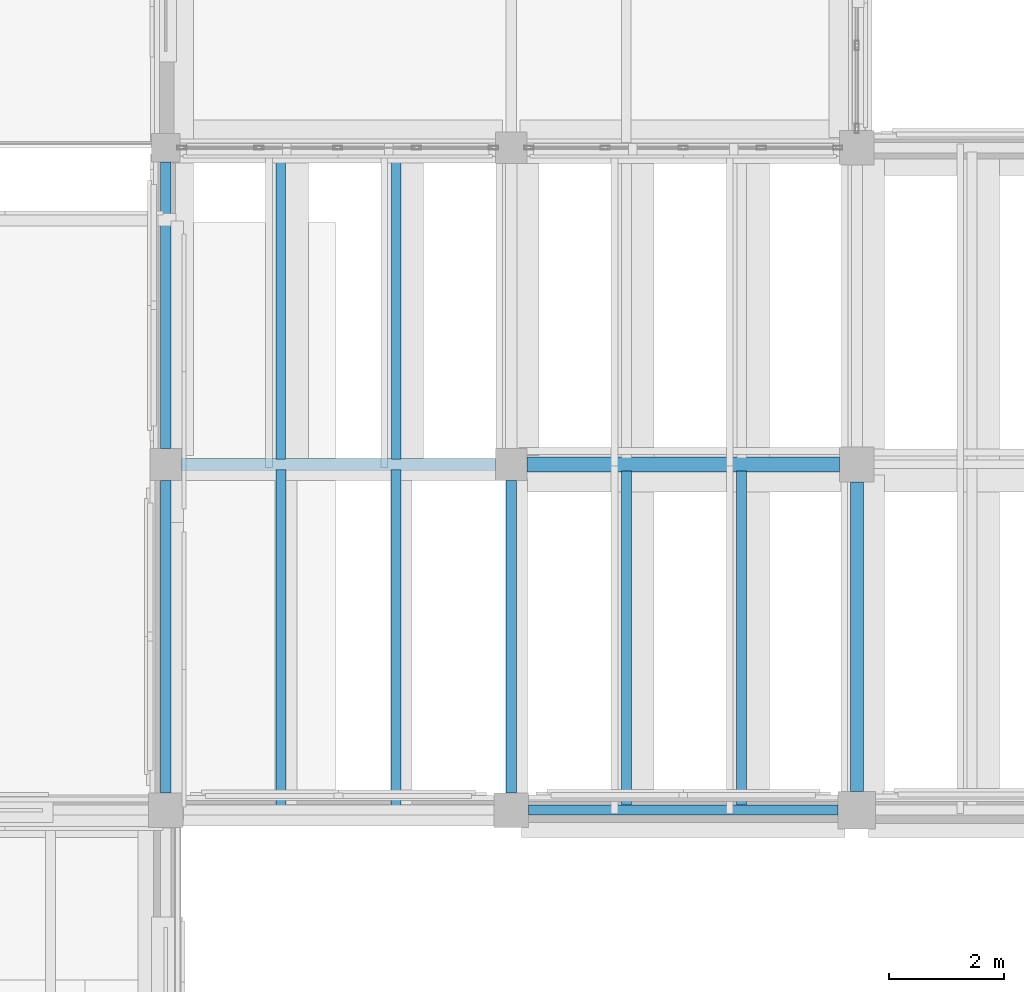
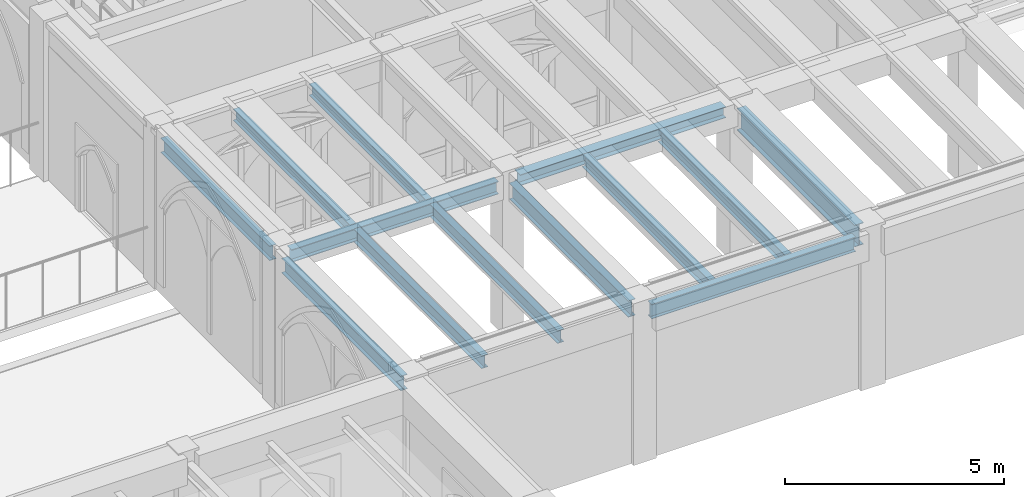
# One storey, part 26 of 127: 13 beams.
"""IFC4 building model written with IfcOpenShell, lengths in metres."""

from ifc_helpers import new_model, si_unit, direction, frame, origin, origin_2d, place, context, subcontext, project, spatial, i_section, extrude, material, material_profile, profile_set, type_object, element, save


model = new_model("IFC4")

# Units and contexts
model_context = context("Model", 3, precision=1e-05, world=origin(), true_north=direction((0.0, 1.0)))
body_context = subcontext(model_context, "Body", "Model", "MODEL_VIEW")
ifc_project = project(units=[si_unit("LENGTHUNIT", "METRE"), si_unit("AREAUNIT", "SQUARE_METRE"), si_unit("VOLUMEUNIT", "CUBIC_METRE"), si_unit("PLANEANGLEUNIT", "RADIAN"), si_unit("MASSUNIT", "GRAM", prefix="KILO")], contexts=[model_context])

# Site, building, storey
site_placement = place(None, origin())
site = spatial("IfcSite", under=ifc_project, at=site_placement, CompositionType="ELEMENT")
building_placement = place(site_placement, origin())
building = spatial("IfcBuilding", under=site, at=building_placement, Name="Cumevento Cable Car Station", CompositionType="ELEMENT")
storey_placement = place(building_placement, frame((0.0, 0.0, 4.5)))
storey = spatial("IfcBuildingStorey", under=building, at=storey_placement, Name="L02", CompositionType="ELEMENT", Elevation=4.5)

# Beams
ifc_material_1 = material(Name="Steel ASTM A572 Grade 50", Category="steel")
ifc_material_profile_1 = material_profile(ifc_material_1, i_section(OverallWidth=0.22802734375, OverallDepth=0.60791015625, WebThickness=0.01123046875, FlangeThickness=0.017333984375, at=origin_2d()), Name="W610x113.0")
ifc_profile_set_1 = profile_set([ifc_material_profile_1], Name="Steel ASTM A572 Grade 50")
beam_type_1 = type_object("IfcBeamType", Name="Structural Beam BM-02 W610x113.0", PredefinedType="BEAM", material=ifc_profile_set_1)
beam_1_placement = place(storey_placement, frame((34.0, 45.324951171875, 3.845947265625), z_axis=(0.0, 1.0, 0.0), x_axis=(-1.0, 0.0, 0.0)))
element("IfcBeam", 1, at=beam_1_placement, inside=storey, type_object=beam_type_1, Name="Beam BM-02 L02 #568", PredefinedType="BEAM", context=body_context, shape_type="SweptSolid", body=[
    extrude(i_section(OverallWidth=0.22802734375, OverallDepth=0.60791015625, WebThickness=0.01123046875, FlangeThickness=0.017333984375, at=origin_2d()), origin(), (0.0, 0.0, 1.0), 5.375),
])
ifc_material_2 = material(Name="Steel ASTM A572 Grade 50", Category="steel")
ifc_material_profile_2 = material_profile(ifc_material_2, i_section(OverallWidth=0.18994140625, OverallDepth=0.45703125, WebThickness=0.009033203125, FlangeThickness=0.014404296875, at=origin_2d()), Name="W460x74.0")
ifc_profile_set_2 = profile_set([ifc_material_profile_2], Name="Steel ASTM A572 Grade 50")
beam_type_2 = type_object("IfcBeamType", Name="Structural Beam BM-04 W460x74.0", PredefinedType="BEAM", material=ifc_profile_set_2)
beam_2_placement = place(storey_placement, frame((28.0, 45.300048828125, 3.92138671875), z_axis=(0.0, 1.0, 0.0), x_axis=(-1.0, 0.0, 0.0)))
element("IfcBeam", 2, at=beam_2_placement, inside=storey, type_object=beam_type_2, Name="Beam BM-04 L02 #566", PredefinedType="BEAM", context=body_context, shape_type="SweptSolid", body=[
    extrude(i_section(OverallWidth=0.18994140625, OverallDepth=0.45703125, WebThickness=0.009033203125, FlangeThickness=0.014404296875, at=origin_2d()), origin(), (0.0, 0.0, 1.0), 5.425048828125),
])
ifc_material_3 = material(Name="Steel ASTM A572 Grade 50", Category="steel")
ifc_material_profile_3 = material_profile(ifc_material_3, i_section(OverallWidth=0.205078125, OverallDepth=0.35400390625, WebThickness=0.009521484375, FlangeThickness=0.016845703125, at=origin_2d()), Name="W360x79.0")
ifc_profile_set_3 = profile_set([ifc_material_profile_3], Name="Steel ASTM A572 Grade 50")
beam_type_3 = type_object("IfcBeamType", Name="Structural Beam BM-05 W360x79.0", PredefinedType="BEAM", material=ifc_profile_set_3)
beam_3_placement = place(storey_placement, frame((22.27490234375, 51.0, 3.972900390625), z_axis=(1.0, 0.0, 0.0), x_axis=(0.0, 1.0, 0.0)))
element("IfcBeam", 3, at=beam_3_placement, inside=storey, type_object=beam_type_3, Name="Beam BM-05 L02 #554", PredefinedType="BEAM", context=body_context, shape_type="SweptSolid", body=[
    extrude(i_section(OverallWidth=0.205078125, OverallDepth=0.35400390625, WebThickness=0.009521484375, FlangeThickness=0.016845703125, at=origin_2d()), origin(), (0.0, 0.0, 1.0), 5.4501953125),
])
ifc_material_4 = material(Name="Steel ASTM A572 Grade 50", Category="steel")
ifc_material_profile_4 = material_profile(ifc_material_4, i_section(OverallWidth=0.25390625, OverallDepth=0.305908203125, WebThickness=0.0087890625, FlangeThickness=0.0146484375, at=origin_2d()), Name="W310x79.0")
ifc_profile_set_4 = profile_set([ifc_material_profile_4], Name="Steel ASTM A572 Grade 50")
beam_type_4 = type_object("IfcBeamType", Name="Structural Beam BM-06 W310x79.0", PredefinedType="BEAM", material=ifc_profile_set_4)
beam_4_placement = place(storey_placement, frame((28.27490234375, 51.0, 3.9970703125), z_axis=(1.0, 0.0, 0.0), x_axis=(0.0, 1.0, 0.0)))
element("IfcBeam", 4, at=beam_4_placement, inside=storey, type_object=beam_type_4, Name="Beam BM-06 L02 #555", PredefinedType="BEAM", context=body_context, shape_type="SweptSolid", body=[
    extrude(i_section(OverallWidth=0.25390625, OverallDepth=0.305908203125, WebThickness=0.0087890625, FlangeThickness=0.0146484375, at=origin_2d()), origin(), (0.0, 0.0, 1.0), 5.425048828125),
])
ifc_material_5 = material(Name="Steel ASTM A572 Grade 50", Category="steel")
ifc_material_profile_5 = material_profile(ifc_material_5, i_section(OverallWidth=0.1708984375, OverallDepth=0.35498046875, WebThickness=0.007080078125, FlangeThickness=0.01171875, at=origin_2d()), Name="W360x51.0")
ifc_profile_set_5 = profile_set([ifc_material_profile_5], Name="Steel ASTM A572 Grade 50")
beam_type_5 = type_object("IfcBeamType", Name="Structural Joist JS-01 W360x51.0", PredefinedType="JOIST", material=ifc_profile_set_5)
for number, where, z_axis, x_axis, name in (
    (5, (24.0, 45.076904296875, 3.972412109375), (0.0, 1.0, 0.0), (-1.0, 0.0, 0.0), "Composite Floor Joist JS-01 L02 #788"),
    (6, (26.0, 45.076904296875, 3.972412109375), (0.0, 1.0, 0.0), (-1.0, 0.0, 0.0), "Composite Floor Joist JS-01 L02 #790"),
):
    element("IfcBeam", number, at=place(storey_placement, frame(where, z_axis=z_axis, x_axis=x_axis)), inside=storey, type_object=beam_type_5, Name=name, PredefinedType="JOIST", context=body_context, shape_type="SweptSolid", body=[
        extrude(i_section(OverallWidth=0.1708984375, OverallDepth=0.35498046875, WebThickness=0.007080078125, FlangeThickness=0.01171875, at=origin_2d()), origin(), (0.0, 0.0, 1.0), 5.83251953125),
    ])
for number, where, z_axis, x_axis, name in (
    (7, (30.0, 45.076904296875, 3.972412109375), (0.0, 1.0, 0.0), (-1.0, 0.0, 0.0), "Composite Floor Joist JS-01 L02 #792"),
    (8, (32.0, 45.076904296875, 3.972412109375), (0.0, 1.0, 0.0), (-1.0, 0.0, 0.0), "Composite Floor Joist JS-01 L02 #794"),
):
    element("IfcBeam", number, at=place(storey_placement, frame(where, z_axis=z_axis, x_axis=x_axis)), inside=storey, type_object=beam_type_5, Name=name, PredefinedType="JOIST", context=body_context, shape_type="SweptSolid", body=[
        extrude(i_section(OverallWidth=0.1708984375, OverallDepth=0.35498046875, WebThickness=0.007080078125, FlangeThickness=0.01171875, at=origin_2d()), origin(), (0.0, 0.0, 1.0), 5.80810546875),
    ])
ifc_material_6 = material(Name="Steel ASTM A572 Grade 50", Category="steel")
ifc_material_profile_6 = material_profile(ifc_material_6, i_section(OverallWidth=0.1669921875, OverallDepth=0.31689453125, WebThickness=0.007568359375, FlangeThickness=0.01318359375, at=origin_2d()), Name="W310x52.0")
ifc_profile_set_6 = profile_set([ifc_material_profile_6], Name="Steel ASTM A572 Grade 50")
beam_type_6 = type_object("IfcBeamType", Name="Structural Joist JS-02 W310x52.0", PredefinedType="JOIST", material=ifc_profile_set_6)
for number, where, z_axis, x_axis, name in (
    (9, (24.0, 51.090576171875, 3.991455078125), (0.0, 1.0, 0.0), (-1.0, 0.0, 0.0), "Composite Floor Joist JS-02 L02 #789"),
    (10, (26.0, 51.090576171875, 3.991455078125), (0.0, 1.0, 0.0), (-1.0, 0.0, 0.0), "Composite Floor Joist JS-02 L02 #791"),
):
    element("IfcBeam", number, at=place(storey_placement, frame(where, z_axis=z_axis, x_axis=x_axis)), inside=storey, type_object=beam_type_6, Name=name, PredefinedType="JOIST", context=body_context, shape_type="SweptSolid", body=[
        extrude(i_section(OverallWidth=0.1669921875, OverallDepth=0.31689453125, WebThickness=0.007568359375, FlangeThickness=0.01318359375, at=origin_2d()), origin(), (0.0, 0.0, 1.0), 5.325439453125),
    ])
ifc_material_7 = material(Name="Steel ASTM A572 Grade 50", Category="steel")
ifc_material_profile_7 = material_profile(ifc_material_7, i_section(OverallWidth=0.177978515625, OverallDepth=0.406982421875, WebThickness=0.0078125, FlangeThickness=0.0126953125, at=origin_2d()), Name="W410x60.0")
ifc_profile_set_7 = profile_set([ifc_material_profile_7], Name="Steel ASTM A572 Grade 50")
beam_type_7 = type_object("IfcBeamType", Name="Structural Spandrel SP-01 W410x60.0", PredefinedType="SPANDREL", material=ifc_profile_set_7)
beam_5_placement = place(storey_placement, frame((28.300048828125, 45.0, 3.946533203125), z_axis=(1.0, 0.0, 0.0), x_axis=(0.0, 1.0, 0.0)))
element("IfcBeam", 11, at=beam_5_placement, inside=storey, type_object=beam_type_7, Name="Beam SP-01 L02 #550", PredefinedType="SPANDREL", context=body_context, shape_type="SweptSolid", body=[
    extrude(i_section(OverallWidth=0.177978515625, OverallDepth=0.406982421875, WebThickness=0.0078125, FlangeThickness=0.0126953125, at=origin_2d()), origin(), (0.0, 0.0, 1.0), 5.375),
])
beam_6_placement = place(storey_placement, frame((22.0, 45.300048828125, 3.946533203125), z_axis=(0.0, 1.0, 0.0), x_axis=(-1.0, 0.0, 0.0)))
element("IfcBeam", 12, at=beam_6_placement, inside=storey, type_object=beam_type_7, Name="Beam SP-01 L02 #564", PredefinedType="SPANDREL", context=body_context, shape_type="SweptSolid", body=[
    extrude(i_section(OverallWidth=0.177978515625, OverallDepth=0.406982421875, WebThickness=0.0078125, FlangeThickness=0.0126953125, at=origin_2d()), origin(), (0.0, 0.0, 1.0), 5.425048828125),
])
beam_7_placement = place(storey_placement, frame((22.0, 51.27490234375, 3.946533203125), z_axis=(0.0, 1.0, 0.0), x_axis=(-1.0, 0.0, 0.0)))
element("IfcBeam", 13, at=beam_7_placement, inside=storey, type_object=beam_type_7, Name="Beam SP-01 L02 #565", PredefinedType="SPANDREL", context=body_context, shape_type="SweptSolid", body=[
    extrude(i_section(OverallWidth=0.177978515625, OverallDepth=0.406982421875, WebThickness=0.0078125, FlangeThickness=0.0126953125, at=origin_2d()), origin(), (0.0, 0.0, 1.0), 4.97509765625),
])

save(model, "model.ifc")
